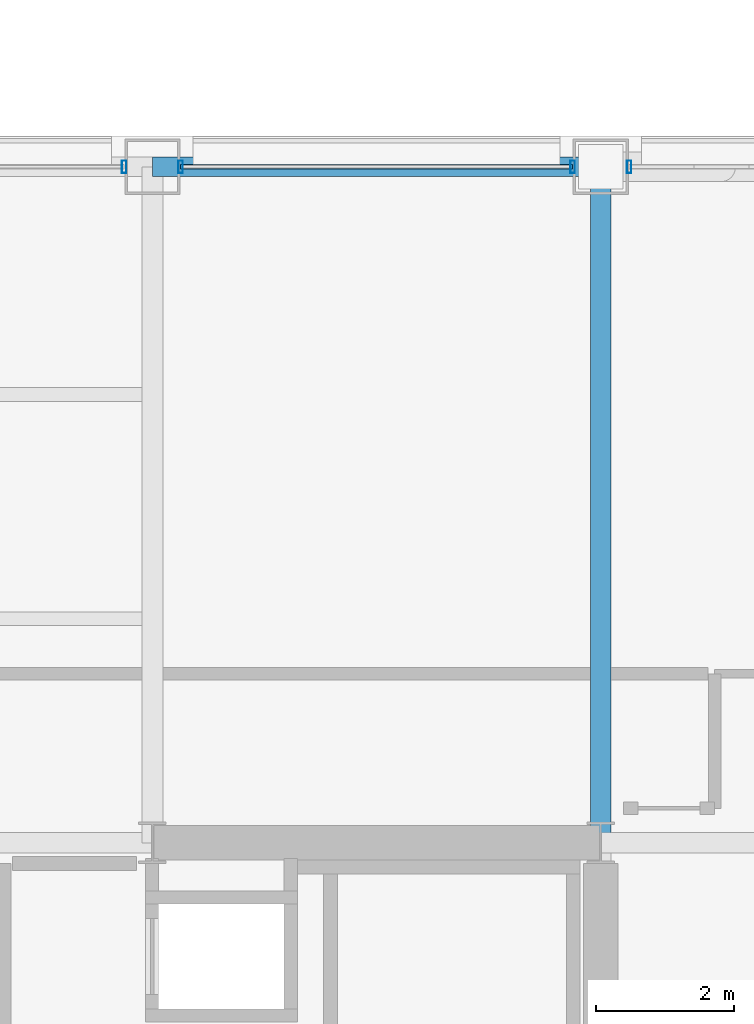
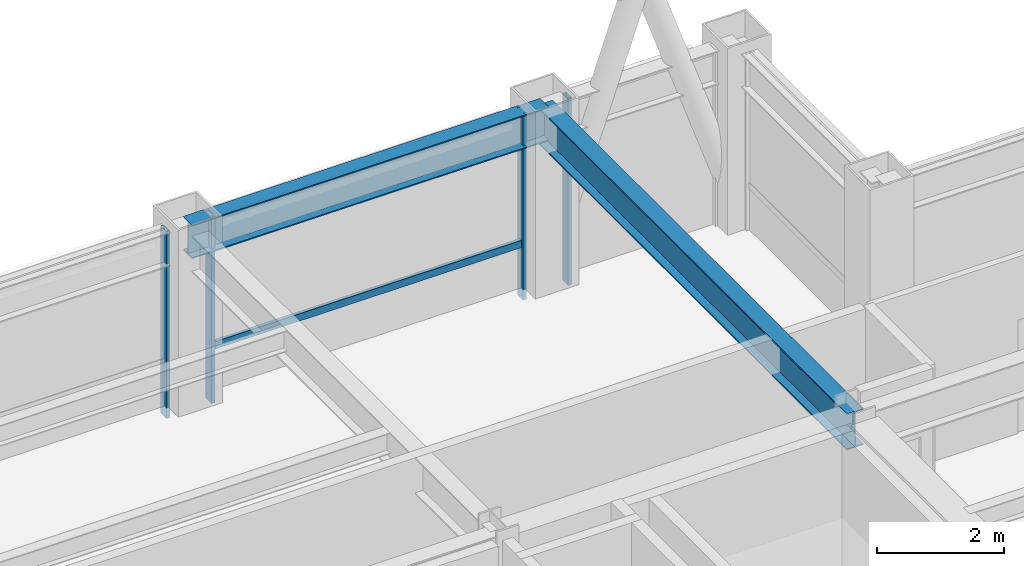
# One storey, part 23 of 35: 5 members, 2 beams, 3 elements without a shape of their own.
"""IFC4 building model written with IfcOpenShell, lengths in metres."""

from ifc_helpers import new_model, si_unit, direction, frame, origin, origin_2d, place, context, subcontext, project, spatial, hollow_rectangle, i_section, extrude, material, layer, layer_set, material_profile, profile_set, type_object, element, aggregate, save


model = new_model("IFC4")

# Units and contexts
model_context = context("Model", 3, precision=1e-05, world=origin(), true_north=direction((0.0, 1.0)))
body_context = subcontext(model_context, "Body", "Model", "MODEL_VIEW")
ifc_project = project(units=[si_unit("LENGTHUNIT", "METRE"), si_unit("AREAUNIT", "SQUARE_METRE"), si_unit("VOLUMEUNIT", "CUBIC_METRE"), si_unit("PLANEANGLEUNIT", "RADIAN"), si_unit("MASSUNIT", "GRAM", prefix="KILO")], contexts=[model_context])

# Site, building, storey
site_placement = place(None, origin())
site = spatial("IfcSite", under=ifc_project, at=site_placement, CompositionType="ELEMENT")
building_placement = place(site_placement, origin())
building = spatial("IfcBuilding", under=site, at=building_placement, Name="Brelmoor Portico Tower", CompositionType="ELEMENT")
storey_placement = place(building_placement, frame((0.0, 0.0, 131.39990234375)))
storey = spatial("IfcBuildingStorey", under=building, at=storey_placement, Name="L34", CompositionType="ELEMENT", Elevation=131.39990234375)

# Beams
ifc_material_1 = material(Name="Steel Q355B", Category="steel")
ifc_material_profile_1 = material_profile(ifc_material_1, i_section(OverallWidth=0.300048828125, OverallDepth=0.699951171875, WebThickness=0.012939453125, FlangeThickness=0.02392578125, at=origin_2d()), Name="HN 700x300x13x24")
ifc_profile_set_1 = profile_set([ifc_material_profile_1], Name="Steel Q355B")
beam_type_1 = type_object("IfcBeamType", Name="BM-PG-700", PredefinedType="BEAM", material=ifc_profile_set_1)
beam_1_placement = place(storey_placement, frame((14.550048828125, 9.75, 3.050048828125), z_axis=(0.0, 1.0, 0.0), x_axis=(-1.0, 0.0, 0.0)))
element("IfcBeam", 1, at=beam_1_placement, inside=storey, type_object=beam_type_1, Name="L34 Primary Floor Girder PG-13", PredefinedType="BEAM", context=body_context, shape_type="SweptSolid", body=[
    extrude(i_section(OverallWidth=0.300048828125, OverallDepth=0.699951171875, WebThickness=0.012939453125, FlangeThickness=0.02392578125, at=origin_2d()), origin(), (0.0, 0.0, 1.0), 9.800048828125),
])
ifc_material_profile_2 = material_profile(ifc_material_1, i_section(OverallWidth=0.280029296875, OverallDepth=0.64990234375, WebThickness=0.012939453125, FlangeThickness=0.02197265625, at=origin_2d()), Name="HN 650x280x13x22")
ifc_profile_set_2 = profile_set([ifc_material_profile_2], Name="Steel Q355B")
beam_type_2 = type_object("IfcBeamType", Name="BM-SP-650", PredefinedType="SPANDREL", material=ifc_profile_set_2)
beam_2_placement = place(storey_placement, frame((8.050048828125, 19.550048828125, 3.0751953125), z_axis=(1.0, 0.0, 0.0), x_axis=(0.0, 1.0, 0.0)))
element("IfcBeam", 2, at=beam_2_placement, inside=storey, type_object=beam_type_2, Name="L34 Perimeter Spandrel Beam SP-13", PredefinedType="SPANDREL", context=body_context, shape_type="SweptSolid", body=[
    extrude(i_section(OverallWidth=0.280029296875, OverallDepth=0.64990234375, WebThickness=0.012939453125, FlangeThickness=0.02197265625, at=origin_2d()), origin(), (0.0, 0.0, 1.0), 6.5),
])

# Curtain wall, member
ifc_material_2 = material(Name="Anodised Aluminium Alloy 6063-T6", Category="aluminium")
ifc_layer_1 = layer(ifc_material_2, 0.179931640625)
ifc_layer_set_1 = layer_set([ifc_layer_1], Name="Anodised Aluminium Alloy 6063-T6")
curtain_wall_type_1 = type_object("IfcCurtainWallType", Name="CW-TOWER-Z2", PredefinedType="NOTDEFINED", material=ifc_layer_set_1)
curtain_wall_1_placement = place(storey_placement, origin())
curtain_wall_1 = element("IfcCurtainWall", 3, at=curtain_wall_1_placement, inside=storey, type_object=curtain_wall_type_1, Name="L34 Curtain Wall CW-L34-2R-1", PredefinedType="NOTDEFINED")
ifc_material_profile_3 = material_profile(ifc_material_2, hollow_rectangle(XDim=0.06494140625, YDim=0.179931640625, WallThickness=0.00390625, at=origin_2d()), Name="ALU MULLION 65x180")
ifc_profile_set_3 = profile_set([ifc_material_profile_3], Name="Anodised Aluminium Alloy 6063-T6")
member_type_1 = type_object("IfcMemberType", Name="MB-CW-MULL-180", PredefinedType="MULLION", material=ifc_profile_set_3)
member_1_placement = place(storey_placement, frame((7.639892578125, 19.550048828125, -0.199951171875), z_axis=(0.0, 0.0, 1.0), x_axis=(1.0, 0.0, 0.0)))
member_1 = element("IfcMember", 4, at=member_1_placement, type_object=member_type_1, Name="CW-L34-2R-1 Mullion 01", PredefinedType="MULLION", context=body_context, shape_type="SweptSolid", body=[
    extrude(hollow_rectangle(XDim=0.06494140625, YDim=0.179931640625, WallThickness=0.00390625, at=origin_2d()), origin(), (0.0, 0.0, 1.0), 3.60009765625),
])
aggregate(curtain_wall_1, [member_1])

# Curtain wall, members
curtain_wall_2_placement = place(storey_placement, origin())
curtain_wall_2 = element("IfcCurtainWall", 5, at=curtain_wall_2_placement, inside=storey, type_object=curtain_wall_type_1, Name="L34 Curtain Wall CW-L34-2R-2", PredefinedType="NOTDEFINED")
member_2_placement = place(storey_placement, frame((8.4599609375, 19.550048828125, -0.199951171875), z_axis=(0.0, 0.0, 1.0), x_axis=(1.0, 0.0, 0.0)))
member_2 = element("IfcMember", 6, at=member_2_placement, type_object=member_type_1, Name="CW-L34-2R-2 Mullion 00", PredefinedType="MULLION", context=body_context, shape_type="SweptSolid", body=[
    extrude(hollow_rectangle(XDim=0.06494140625, YDim=0.179931640625, WallThickness=0.00390625, at=origin_2d()), origin(), (0.0, 0.0, 1.0), 3.60009765625),
])
member_3_placement = place(storey_placement, frame((14.139892578125, 19.550048828125, -0.199951171875), z_axis=(0.0, 0.0, 1.0), x_axis=(1.0, 0.0, 0.0)))
member_3 = element("IfcMember", 7, at=member_3_placement, type_object=member_type_1, Name="CW-L34-2R-2 Mullion 01", PredefinedType="MULLION", context=body_context, shape_type="SweptSolid", body=[
    extrude(hollow_rectangle(XDim=0.06494140625, YDim=0.179931640625, WallThickness=0.00390625, at=origin_2d()), origin(), (0.0, 0.0, 1.0), 3.60009765625),
])

# Curtain wall, member
ifc_layer_2 = layer(ifc_material_2, 0.179931640625)
ifc_layer_set_2 = layer_set([ifc_layer_2], Name="Anodised Aluminium Alloy 6063-T6")
curtain_wall_type_2 = type_object("IfcCurtainWallType", Name="CW-TOWER-Z2-XB", PredefinedType="NOTDEFINED", material=ifc_layer_set_2)
curtain_wall_3_placement = place(storey_placement, origin())
curtain_wall_3 = element("IfcCurtainWall", 8, at=curtain_wall_3_placement, inside=storey, type_object=curtain_wall_type_2, Name="L34 Curtain Wall CW-L34-2R-3", PredefinedType="NOTDEFINED")
member_4_placement = place(storey_placement, frame((14.9599609375, 19.550048828125, -0.199951171875), z_axis=(0.0, 0.0, 1.0), x_axis=(1.0, 0.0, 0.0)))
member_4 = element("IfcMember", 9, at=member_4_placement, type_object=member_type_1, Name="CW-L34-2R-3 Mullion 00", PredefinedType="MULLION", context=body_context, shape_type="SweptSolid", body=[
    extrude(hollow_rectangle(XDim=0.06494140625, YDim=0.179931640625, WallThickness=0.00390625, at=origin_2d()), origin(), (0.0, 0.0, 1.0), 3.60009765625),
])
aggregate(curtain_wall_3, [member_4])

# Member
ifc_material_profile_4 = material_profile(ifc_material_2, hollow_rectangle(XDim=0.06494140625, YDim=0.139892578125, WallThickness=0.00390625, at=origin_2d()), Name="ALU TRANSOM 65x140")
ifc_profile_set_4 = profile_set([ifc_material_profile_4], Name="Anodised Aluminium Alloy 6063-T6")
member_type_2 = type_object("IfcMemberType", Name="MB-CW-TRAN-140", PredefinedType="USERDEFINED", material=ifc_profile_set_4)
member_5_placement = place(storey_placement, frame((8.4599609375, 19.550048828125, 0.85009765625), z_axis=(1.0, 0.0, 0.0), x_axis=(0.0, 1.0, 0.0)))
member_5 = element("IfcMember", 10, at=member_5_placement, type_object=member_type_2, Name="CW-L34-2R-2 Transom 1-00", ObjectType="TRANSOM", PredefinedType="USERDEFINED", context=body_context, shape_type="SweptSolid", body=[
    extrude(hollow_rectangle(XDim=0.06494140625, YDim=0.139892578125, WallThickness=0.00390625, at=origin_2d()), origin(), (0.0, 0.0, 1.0), 5.679931640625),
])

aggregate(curtain_wall_2, [member_2, member_3, member_5])

save(model, "model.ifc")
